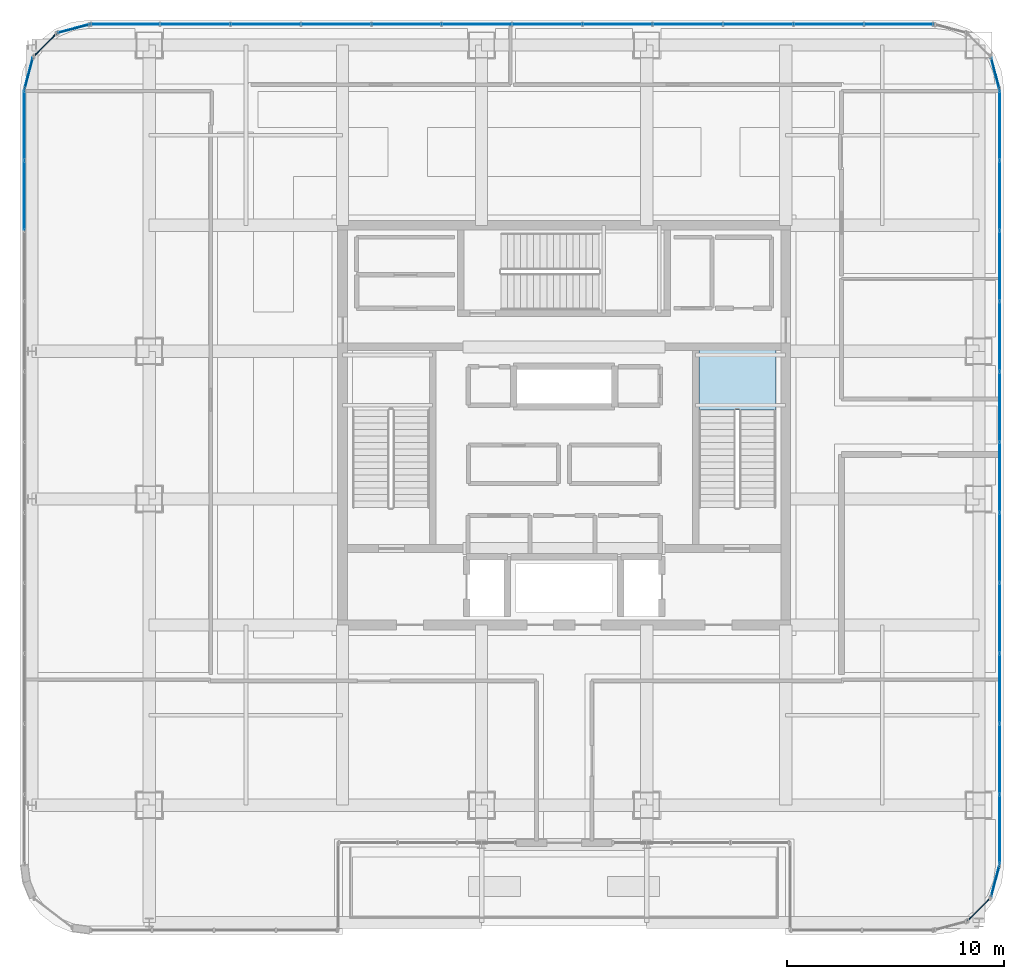
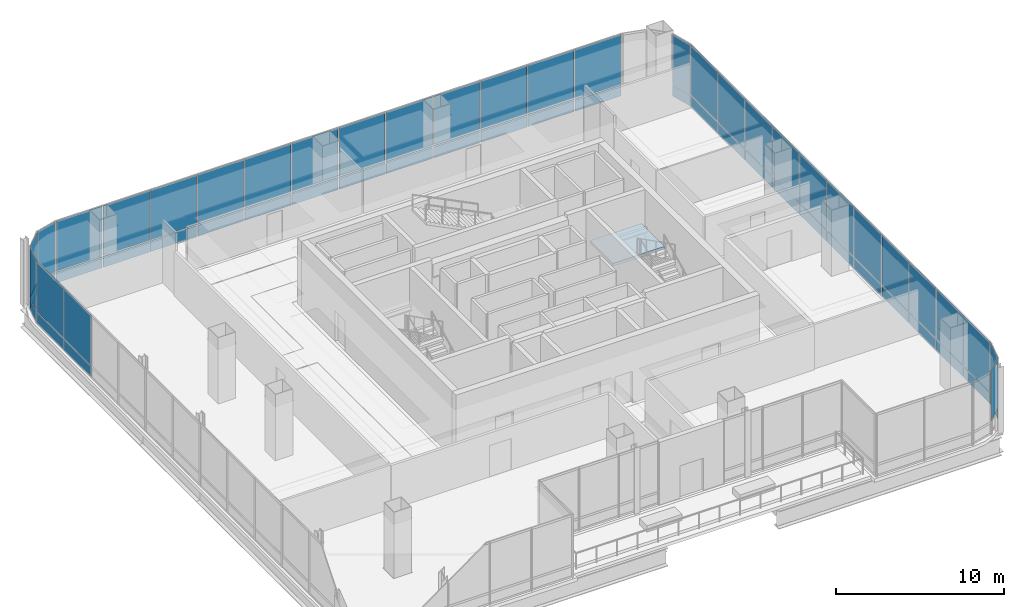
# One storey, part 35 of 44: 61 plates, 1 slab, 10 elements without a shape of their own.
"""IFC4 building model written with IfcOpenShell, lengths in metres."""

from ifc_helpers import new_model, si_unit, direction, frame, origin, origin_2d, place, context, subcontext, project, spatial, polyline, rectangle, outline, extrude, material, layer, layer_set, type_object, element, aggregate, save


model = new_model("IFC4")

# Units and contexts
model_context = context("Model", 3, precision=1e-05, world=origin(), true_north=direction((0.0, 1.0)))
body_context = subcontext(model_context, "Body", "Model", "MODEL_VIEW")
ifc_project = project(units=[si_unit("LENGTHUNIT", "METRE"), si_unit("AREAUNIT", "SQUARE_METRE"), si_unit("VOLUMEUNIT", "CUBIC_METRE"), si_unit("PLANEANGLEUNIT", "RADIAN"), si_unit("MASSUNIT", "GRAM", prefix="KILO")], contexts=[model_context])

# Site, building, storey
site_placement = place(None, origin())
site = spatial("IfcSite", under=ifc_project, at=site_placement, CompositionType="ELEMENT")
building_placement = place(site_placement, origin())
building = spatial("IfcBuilding", under=site, at=building_placement, Name="Punatoya Terracotta Tower", CompositionType="ELEMENT")
storey_placement = place(building_placement, frame((0.0, 0.0, 334.199951171875)))
storey = spatial("IfcBuildingStorey", under=building, at=storey_placement, Name="L79", CompositionType="ELEMENT", Elevation=334.199951171875)

# Curtain wall, plate
ifc_material_1 = material(Name="Aluminium 6063-T6 + Double Low-E Glass", Category="aluminium")
curtain_wall_type = type_object("IfcCurtainWallType", Name="CW-OBS", PredefinedType="NOTDEFINED", material=ifc_material_1)
curtain_wall_1_placement = place(storey_placement, origin())
curtain_wall_1 = element("IfcCurtainWall", 1, at=curtain_wall_1_placement, inside=storey, type_object=curtain_wall_type, Name="L79 Curtain Wall CW-L79-CRN08", PredefinedType="NOTDEFINED")
ifc_material_2 = material(Name="Laminated Observation Low-Iron Glass", Category="glass")
ifc_layer_1 = layer(ifc_material_2, 0.0380859375)
ifc_layer_set_1 = layer_set([ifc_layer_1], Name="Laminated Observation Low-Iron Glass")
plate_type_1 = type_object("IfcPlateType", Name="PLT-GLZ-38", PredefinedType="CURTAIN_PANEL", material=ifc_layer_set_1)
plate_1_placement = place(storey_placement, frame((19.097900390625, -22.2978515625, 0.89013671875), z_axis=(0.0, 0.0, 1.0), x_axis=(0.707106781187, 0.707106781187, 0.0)))
plate_1 = element("IfcPlate", 2, at=plate_1_placement, type_object=plate_type_1, Name="CW-L79-CRN08 Vision Glass Panel 1", PredefinedType="CURTAIN_PANEL", context=body_context, shape_type="SweptSolid", body=[
    extrude(rectangle(XDim=1.467041015625, YDim=0.0380859375, at=origin_2d()), origin(), (0.0, 0.0, 1.0), 3.610107421875),
])
aggregate(curtain_wall_1, [plate_1])

curtain_wall_2_placement = place(storey_placement, origin())
curtain_wall_2 = element("IfcCurtainWall", 3, at=curtain_wall_2_placement, inside=storey, type_object=curtain_wall_type, Name="L79 Curtain Wall CW-L79-CRN09", PredefinedType="NOTDEFINED")
plate_2_placement = place(storey_placement, frame((19.848388671875, -20.992919921875, 0.89013671875), z_axis=(0.0, 0.0, 1.0), x_axis=(0.257741620719, 0.966213877436, 0.0)))
plate_2 = element("IfcPlate", 4, at=plate_2_placement, type_object=plate_type_1, Name="CW-L79-CRN09 Vision Glass Panel 1", PredefinedType="CURTAIN_PANEL", context=body_context, shape_type="SweptSolid", body=[
    extrude(rectangle(XDim=1.47998046875, YDim=0.0380859375, at=origin_2d()), origin(), (0.0, 0.0, 1.0), 3.610107421875),
])

# Curtain wall, plates
curtain_wall_3_placement = place(storey_placement, origin())
curtain_wall_3 = element("IfcCurtainWall", 5, at=curtain_wall_3_placement, inside=storey, type_object=curtain_wall_type, Name="L79 Curtain Wall CW-L79-E10-1", PredefinedType="NOTDEFINED")
plate_3_placement = place(storey_placement, frame((20.050048828125, -18.615478515625, 0.89013671875), z_axis=(0.0, 0.0, 1.0), x_axis=(0.0, 1.0, 0.0)))
plate_3 = element("IfcPlate", 6, at=plate_3_placement, type_object=plate_type_1, Name="CW-L79-E10-1 Vision Glass Panel 1", PredefinedType="CURTAIN_PANEL", context=body_context, shape_type="SweptSolid", body=[
    extrude(rectangle(XDim=3.158203125, YDim=0.0380859375, at=origin_2d()), origin(), (0.0, 0.0, 1.0), 3.610107421875),
])
plate_4_placement = place(storey_placement, frame((20.050048828125, -15.372314453125, 0.89013671875), z_axis=(0.0, 0.0, 1.0), x_axis=(0.0, 1.0, 0.0)))
plate_4 = element("IfcPlate", 7, at=plate_4_placement, type_object=plate_type_1, Name="CW-L79-E10-1 Vision Glass Panel 2", PredefinedType="CURTAIN_PANEL", context=body_context, shape_type="SweptSolid", body=[
    extrude(rectangle(XDim=3.158203125, YDim=0.0380859375, at=origin_2d()), origin(), (0.0, 0.0, 1.0), 3.610107421875),
])
plate_5_placement = place(storey_placement, frame((20.050048828125, -12.129150390625, 0.89013671875), z_axis=(0.0, 0.0, 1.0), x_axis=(0.0, 1.0, 0.0)))
plate_5 = element("IfcPlate", 8, at=plate_5_placement, type_object=plate_type_1, Name="CW-L79-E10-1 Vision Glass Panel 3", PredefinedType="CURTAIN_PANEL", context=body_context, shape_type="SweptSolid", body=[
    extrude(rectangle(XDim=3.158203125, YDim=0.0380859375, at=origin_2d()), origin(), (0.0, 0.0, 1.0), 3.610107421875),
])
plate_6_placement = place(storey_placement, frame((20.050048828125, -8.885986328125, 0.89013671875), z_axis=(0.0, 0.0, 1.0), x_axis=(0.0, 1.0, 0.0)))
plate_6 = element("IfcPlate", 9, at=plate_6_placement, type_object=plate_type_1, Name="CW-L79-E10-1 Vision Glass Panel 4", PredefinedType="CURTAIN_PANEL", context=body_context, shape_type="SweptSolid", body=[
    extrude(rectangle(XDim=3.158203125, YDim=0.0380859375, at=origin_2d()), origin(), (0.0, 0.0, 1.0), 3.610107421875),
])
plate_7_placement = place(storey_placement, frame((20.050048828125, -5.64306640625, 0.89013671875), z_axis=(0.0, 0.0, 1.0), x_axis=(0.0, 1.0, 0.0)))
plate_7 = element("IfcPlate", 10, at=plate_7_placement, type_object=plate_type_1, Name="CW-L79-E10-1 Vision Glass Panel 5", PredefinedType="CURTAIN_PANEL", context=body_context, shape_type="SweptSolid", body=[
    extrude(rectangle(XDim=3.158203125, YDim=0.0380859375, at=origin_2d()), origin(), (0.0, 0.0, 1.0), 3.610107421875),
])
plate_8_placement = place(storey_placement, frame((20.050048828125, -2.39990234375, 0.89013671875), z_axis=(0.0, 0.0, 1.0), x_axis=(0.0, 1.0, 0.0)))
plate_8 = element("IfcPlate", 11, at=plate_8_placement, type_object=plate_type_1, Name="CW-L79-E10-1 Vision Glass Panel 6", PredefinedType="CURTAIN_PANEL", context=body_context, shape_type="SweptSolid", body=[
    extrude(rectangle(XDim=3.158203125, YDim=0.0380859375, at=origin_2d()), origin(), (0.0, 0.0, 1.0), 3.610107421875),
])
plate_9_placement = place(storey_placement, frame((20.050048828125, 0.843017578125, 0.89013671875), z_axis=(0.0, 0.0, 1.0), x_axis=(0.0, 1.0, 0.0)))
plate_9 = element("IfcPlate", 12, at=plate_9_placement, type_object=plate_type_1, Name="CW-L79-E10-1 Vision Glass Panel 7", PredefinedType="CURTAIN_PANEL", context=body_context, shape_type="SweptSolid", body=[
    extrude(rectangle(XDim=3.158203125, YDim=0.0380859375, at=origin_2d()), origin(), (0.0, 0.0, 1.0), 3.610107421875),
])
plate_10_placement = place(storey_placement, frame((20.050048828125, 4.086181640625, 0.89013671875), z_axis=(0.0, 0.0, 1.0), x_axis=(0.0, 1.0, 0.0)))
plate_10 = element("IfcPlate", 13, at=plate_10_placement, type_object=plate_type_1, Name="CW-L79-E10-1 Vision Glass Panel 8", PredefinedType="CURTAIN_PANEL", context=body_context, shape_type="SweptSolid", body=[
    extrude(rectangle(XDim=3.158203125, YDim=0.0380859375, at=origin_2d()), origin(), (0.0, 0.0, 1.0), 3.610107421875),
])
plate_11_placement = place(storey_placement, frame((20.050048828125, 7.3291015625, 0.89013671875), z_axis=(0.0, 0.0, 1.0), x_axis=(0.0, 1.0, 0.0)))
plate_11 = element("IfcPlate", 14, at=plate_11_placement, type_object=plate_type_1, Name="CW-L79-E10-1 Vision Glass Panel 9", PredefinedType="CURTAIN_PANEL", context=body_context, shape_type="SweptSolid", body=[
    extrude(rectangle(XDim=3.158203125, YDim=0.0380859375, at=origin_2d()), origin(), (0.0, 0.0, 1.0), 3.610107421875),
])
plate_12_placement = place(storey_placement, frame((20.050048828125, 10.572265625, 0.89013671875), z_axis=(0.0, 0.0, 1.0), x_axis=(0.0, 1.0, 0.0)))
plate_12 = element("IfcPlate", 15, at=plate_12_placement, type_object=plate_type_1, Name="CW-L79-E10-1 Vision Glass Panel 10", PredefinedType="CURTAIN_PANEL", context=body_context, shape_type="SweptSolid", body=[
    extrude(rectangle(XDim=3.158203125, YDim=0.0380859375, at=origin_2d()), origin(), (0.0, 0.0, 1.0), 3.610107421875),
])
plate_13_placement = place(storey_placement, frame((20.050048828125, 13.8154296875, 0.89013671875), z_axis=(0.0, 0.0, 1.0), x_axis=(0.0, 1.0, 0.0)))
plate_13 = element("IfcPlate", 16, at=plate_13_placement, type_object=plate_type_1, Name="CW-L79-E10-1 Vision Glass Panel 11", PredefinedType="CURTAIN_PANEL", context=body_context, shape_type="SweptSolid", body=[
    extrude(rectangle(XDim=3.158203125, YDim=0.0380859375, at=origin_2d()), origin(), (0.0, 0.0, 1.0), 3.610107421875),
])

# Curtain wall, plate
curtain_wall_4_placement = place(storey_placement, origin())
curtain_wall_4 = element("IfcCurtainWall", 17, at=curtain_wall_4_placement, inside=storey, type_object=curtain_wall_type, Name="L79 Curtain Wall CW-L79-CRN11", PredefinedType="NOTDEFINED")
plate_14_placement = place(storey_placement, frame((19.848388671875, 16.193115234375, 0.89013671875), z_axis=(0.0, 0.0, 1.0), x_axis=(-0.257741620719, 0.966213877436, 0.0)))
plate_14 = element("IfcPlate", 18, at=plate_14_placement, type_object=plate_type_1, Name="CW-L79-CRN11 Vision Glass Panel 1", PredefinedType="CURTAIN_PANEL", context=body_context, shape_type="SweptSolid", body=[
    extrude(rectangle(XDim=1.47998046875, YDim=0.0380859375, at=origin_2d()), origin(), (0.0, 0.0, 1.0), 3.610107421875),
])

# Curtain wall, plates
curtain_wall_5_placement = place(storey_placement, origin())
curtain_wall_5 = element("IfcCurtainWall", 19, at=curtain_wall_5_placement, inside=storey, type_object=curtain_wall_type, Name="L79 Curtain Wall CW-L79-N14-1", PredefinedType="NOTDEFINED")
plate_15_placement = place(storey_placement, frame((15.417236328125, 18.449951171875, 0.89013671875), z_axis=(0.0, 0.0, 1.0), x_axis=(-1.0, 0.0, 0.0)))
plate_15 = element("IfcPlate", 20, at=plate_15_placement, type_object=plate_type_1, Name="CW-L79-N14-1 Vision Glass Panel 1", PredefinedType="CURTAIN_PANEL", context=body_context, shape_type="SweptSolid", body=[
    extrude(rectangle(XDim=3.154541015625, YDim=0.0380859375, at=origin_2d()), origin(), (0.0, 0.0, 1.0), 3.610107421875),
])
plate_16_placement = place(storey_placement, frame((12.177734375, 18.449951171875, 0.89013671875), z_axis=(0.0, 0.0, 1.0), x_axis=(-1.0, 0.0, 0.0)))
plate_16 = element("IfcPlate", 21, at=plate_16_placement, type_object=plate_type_1, Name="CW-L79-N14-1 Vision Glass Panel 2", PredefinedType="CURTAIN_PANEL", context=body_context, shape_type="SweptSolid", body=[
    extrude(rectangle(XDim=3.154541015625, YDim=0.0380859375, at=origin_2d()), origin(), (0.0, 0.0, 1.0), 3.610107421875),
])
plate_17_placement = place(storey_placement, frame((8.938232421875, 18.449951171875, 0.89013671875), z_axis=(0.0, 0.0, 1.0), x_axis=(-1.0, 0.0, 0.0)))
plate_17 = element("IfcPlate", 22, at=plate_17_placement, type_object=plate_type_1, Name="CW-L79-N14-1 Vision Glass Panel 3", PredefinedType="CURTAIN_PANEL", context=body_context, shape_type="SweptSolid", body=[
    extrude(rectangle(XDim=3.154541015625, YDim=0.0380859375, at=origin_2d()), origin(), (0.0, 0.0, 1.0), 3.610107421875),
])
plate_18_placement = place(storey_placement, frame((5.69873046875, 18.449951171875, 0.89013671875), z_axis=(0.0, 0.0, 1.0), x_axis=(-1.0, 0.0, 0.0)))
plate_18 = element("IfcPlate", 23, at=plate_18_placement, type_object=plate_type_1, Name="CW-L79-N14-1 Vision Glass Panel 4", PredefinedType="CURTAIN_PANEL", context=body_context, shape_type="SweptSolid", body=[
    extrude(rectangle(XDim=3.154541015625, YDim=0.0380859375, at=origin_2d()), origin(), (0.0, 0.0, 1.0), 3.610107421875),
])
plate_19_placement = place(storey_placement, frame((2.459228515625, 18.449951171875, 0.89013671875), z_axis=(0.0, 0.0, 1.0), x_axis=(-1.0, 0.0, 0.0)))
plate_19 = element("IfcPlate", 24, at=plate_19_placement, type_object=plate_type_1, Name="CW-L79-N14-1 Vision Glass Panel 5", PredefinedType="CURTAIN_PANEL", context=body_context, shape_type="SweptSolid", body=[
    extrude(rectangle(XDim=3.154541015625, YDim=0.0380859375, at=origin_2d()), origin(), (0.0, 0.0, 1.0), 3.610107421875),
])
plate_20_placement = place(storey_placement, frame((-0.7802734375, 18.449951171875, 0.89013671875), z_axis=(0.0, 0.0, 1.0), x_axis=(-1.0, 0.0, 0.0)))
plate_20 = element("IfcPlate", 25, at=plate_20_placement, type_object=plate_type_1, Name="CW-L79-N14-1 Vision Glass Panel 6", PredefinedType="CURTAIN_PANEL", context=body_context, shape_type="SweptSolid", body=[
    extrude(rectangle(XDim=3.154541015625, YDim=0.0380859375, at=origin_2d()), origin(), (0.0, 0.0, 1.0), 3.610107421875),
])
plate_21_placement = place(storey_placement, frame((-4.019775390625, 18.449951171875, 0.89013671875), z_axis=(0.0, 0.0, 1.0), x_axis=(-1.0, 0.0, 0.0)))
plate_21 = element("IfcPlate", 26, at=plate_21_placement, type_object=plate_type_1, Name="CW-L79-N14-1 Vision Glass Panel 7", PredefinedType="CURTAIN_PANEL", context=body_context, shape_type="SweptSolid", body=[
    extrude(rectangle(XDim=3.154541015625, YDim=0.0380859375, at=origin_2d()), origin(), (0.0, 0.0, 1.0), 3.610107421875),
])
plate_22_placement = place(storey_placement, frame((-7.25927734375, 18.449951171875, 0.89013671875), z_axis=(0.0, 0.0, 1.0), x_axis=(-1.0, 0.0, 0.0)))
plate_22 = element("IfcPlate", 27, at=plate_22_placement, type_object=plate_type_1, Name="CW-L79-N14-1 Vision Glass Panel 8", PredefinedType="CURTAIN_PANEL", context=body_context, shape_type="SweptSolid", body=[
    extrude(rectangle(XDim=3.154541015625, YDim=0.0380859375, at=origin_2d()), origin(), (0.0, 0.0, 1.0), 3.610107421875),
])
plate_23_placement = place(storey_placement, frame((-10.498779296875, 18.449951171875, 0.89013671875), z_axis=(0.0, 0.0, 1.0), x_axis=(-1.0, 0.0, 0.0)))
plate_23 = element("IfcPlate", 28, at=plate_23_placement, type_object=plate_type_1, Name="CW-L79-N14-1 Vision Glass Panel 9", PredefinedType="CURTAIN_PANEL", context=body_context, shape_type="SweptSolid", body=[
    extrude(rectangle(XDim=3.154541015625, YDim=0.0380859375, at=origin_2d()), origin(), (0.0, 0.0, 1.0), 3.610107421875),
])
plate_24_placement = place(storey_placement, frame((-13.73828125, 18.449951171875, 0.89013671875), z_axis=(0.0, 0.0, 1.0), x_axis=(-1.0, 0.0, 0.0)))
plate_24 = element("IfcPlate", 29, at=plate_24_placement, type_object=plate_type_1, Name="CW-L79-N14-1 Vision Glass Panel 10", PredefinedType="CURTAIN_PANEL", context=body_context, shape_type="SweptSolid", body=[
    extrude(rectangle(XDim=3.154541015625, YDim=0.0380859375, at=origin_2d()), origin(), (0.0, 0.0, 1.0), 3.610107421875),
])
plate_25_placement = place(storey_placement, frame((-16.977783203125, 18.449951171875, 0.89013671875), z_axis=(0.0, 0.0, 1.0), x_axis=(-1.0, 0.0, 0.0)))
plate_25 = element("IfcPlate", 30, at=plate_25_placement, type_object=plate_type_1, Name="CW-L79-N14-1 Vision Glass Panel 11", PredefinedType="CURTAIN_PANEL", context=body_context, shape_type="SweptSolid", body=[
    extrude(rectangle(XDim=3.154541015625, YDim=0.0380859375, at=origin_2d()), origin(), (0.0, 0.0, 1.0), 3.610107421875),
])
plate_26_placement = place(storey_placement, frame((-20.21728515625, 18.449951171875, 0.89013671875), z_axis=(0.0, 0.0, 1.0), x_axis=(-1.0, 0.0, 0.0)))
plate_26 = element("IfcPlate", 31, at=plate_26_placement, type_object=plate_type_1, Name="CW-L79-N14-1 Vision Glass Panel 12", PredefinedType="CURTAIN_PANEL", context=body_context, shape_type="SweptSolid", body=[
    extrude(rectangle(XDim=3.154541015625, YDim=0.0380859375, at=origin_2d()), origin(), (0.0, 0.0, 1.0), 3.610107421875),
])

# Curtain wall, plate
curtain_wall_6_placement = place(storey_placement, origin())
curtain_wall_6 = element("IfcCurtainWall", 32, at=curtain_wall_6_placement, inside=storey, type_object=curtain_wall_type, Name="L79 Curtain Wall CW-L79-CRN15", PredefinedType="NOTDEFINED")
plate_27_placement = place(storey_placement, frame((-22.593017578125, 18.248291015625, 0.89013671875), z_axis=(0.0, 0.0, 1.0), x_axis=(-0.966213877436, -0.257741620719, 0.0)))
plate_27 = element("IfcPlate", 33, at=plate_27_placement, type_object=plate_type_1, Name="CW-L79-CRN15 Vision Glass Panel 1", PredefinedType="CURTAIN_PANEL", context=body_context, shape_type="SweptSolid", body=[
    extrude(rectangle(XDim=1.47998046875, YDim=0.0380859375, at=origin_2d()), origin(), (0.0, 0.0, 1.0), 3.610107421875),
])

curtain_wall_7_placement = place(storey_placement, origin())
curtain_wall_7 = element("IfcCurtainWall", 34, at=curtain_wall_7_placement, inside=storey, type_object=curtain_wall_type, Name="L79 Curtain Wall CW-L79-CRN16", PredefinedType="NOTDEFINED")
plate_28_placement = place(storey_placement, frame((-23.89794921875, 17.497802734375, 0.89013671875), z_axis=(0.0, 0.0, 1.0), x_axis=(-0.707106781187, -0.707106781187, 0.0)))
plate_28 = element("IfcPlate", 35, at=plate_28_placement, type_object=plate_type_1, Name="CW-L79-CRN16 Vision Glass Panel 1", PredefinedType="CURTAIN_PANEL", context=body_context, shape_type="SweptSolid", body=[
    extrude(rectangle(XDim=1.467041015625, YDim=0.0380859375, at=origin_2d()), origin(), (0.0, 0.0, 1.0), 3.610107421875),
])

curtain_wall_8_placement = place(storey_placement, origin())
curtain_wall_8 = element("IfcCurtainWall", 36, at=curtain_wall_8_placement, inside=storey, type_object=curtain_wall_type, Name="L79 Curtain Wall CW-L79-CRN17", PredefinedType="NOTDEFINED")
plate_29_placement = place(storey_placement, frame((-24.648193359375, 16.193115234375, 0.89013671875), z_axis=(0.0, 0.0, 1.0), x_axis=(-0.257741620719, -0.966213877436, 0.0)))
plate_29 = element("IfcPlate", 37, at=plate_29_placement, type_object=plate_type_1, Name="CW-L79-CRN17 Vision Glass Panel 1", PredefinedType="CURTAIN_PANEL", context=body_context, shape_type="SweptSolid", body=[
    extrude(rectangle(XDim=1.47998046875, YDim=0.0380859375, at=origin_2d()), origin(), (0.0, 0.0, 1.0), 3.610107421875),
])

# Curtain wall, plates
curtain_wall_9_placement = place(storey_placement, origin())
curtain_wall_9 = element("IfcCurtainWall", 38, at=curtain_wall_9_placement, inside=storey, type_object=curtain_wall_type, Name="L79 Curtain Wall CW-L79-W18-1", PredefinedType="NOTDEFINED")
plate_30_placement = place(storey_placement, frame((-24.85009765625, 13.8154296875, 0.89013671875), z_axis=(0.0, 0.0, 1.0), x_axis=(0.0, -1.0, 0.0)))
plate_30 = element("IfcPlate", 39, at=plate_30_placement, type_object=plate_type_1, Name="CW-L79-W18-1 Vision Glass Panel 1", PredefinedType="CURTAIN_PANEL", context=body_context, shape_type="SweptSolid", body=[
    extrude(rectangle(XDim=3.158203125, YDim=0.0380859375, at=origin_2d()), origin(), (0.0, 0.0, 1.0), 3.610107421875),
])
plate_31_placement = place(storey_placement, frame((-24.85009765625, 10.572265625, 0.89013671875), z_axis=(0.0, 0.0, 1.0), x_axis=(0.0, -1.0, 0.0)))
plate_31 = element("IfcPlate", 40, at=plate_31_placement, type_object=plate_type_1, Name="CW-L79-W18-1 Vision Glass Panel 2", PredefinedType="CURTAIN_PANEL", context=body_context, shape_type="SweptSolid", body=[
    extrude(rectangle(XDim=3.158203125, YDim=0.0380859375, at=origin_2d()), origin(), (0.0, 0.0, 1.0), 3.610107421875),
])

# Plate
ifc_material_3 = material(Name="Insulated Terracotta-Backed Spandrel Panel", Category="masonry")
ifc_layer_2 = layer(ifc_material_3, 0.044921875)
ifc_layer_set_2 = layer_set([ifc_layer_2], Name="Insulated Terracotta-Backed Spandrel Panel")
plate_type_2 = type_object("IfcPlateType", Name="PLT-SPN-45", PredefinedType="CURTAIN_PANEL", material=ifc_layer_set_2)
plate_32_placement = place(storey_placement, frame((19.848388671875, -20.992919921875, 0.0400390625), z_axis=(0.0, 0.0, 1.0), x_axis=(0.257741620719, 0.966213877436, 0.0)))
plate_32 = element("IfcPlate", 41, at=plate_32_placement, type_object=plate_type_2, Name="CW-L79-CRN09 Terracotta Spandrel Panel 1", PredefinedType="CURTAIN_PANEL", context=body_context, shape_type="SweptSolid", body=[
    extrude(rectangle(XDim=1.47998046875, YDim=0.044921875, at=origin_2d()), origin(), (0.0, 0.0, 1.0), 0.77490234375),
])

aggregate(curtain_wall_2, [plate_32, plate_2])

plate_33_placement = place(storey_placement, frame((20.050048828125, -18.615478515625, 0.0400390625), z_axis=(0.0, 0.0, 1.0), x_axis=(0.0, 1.0, 0.0)))
plate_33 = element("IfcPlate", 42, at=plate_33_placement, type_object=plate_type_2, Name="CW-L79-E10-1 Terracotta Spandrel Panel 1", PredefinedType="CURTAIN_PANEL", context=body_context, shape_type="SweptSolid", body=[
    extrude(rectangle(XDim=3.158203125, YDim=0.044921875, at=origin_2d()), origin(), (0.0, 0.0, 1.0), 0.77490234375),
])

plate_34_placement = place(storey_placement, frame((20.050048828125, -15.372314453125, 0.0400390625), z_axis=(0.0, 0.0, 1.0), x_axis=(0.0, 1.0, 0.0)))
plate_34 = element("IfcPlate", 43, at=plate_34_placement, type_object=plate_type_2, Name="CW-L79-E10-1 Terracotta Spandrel Panel 2", PredefinedType="CURTAIN_PANEL", context=body_context, shape_type="SweptSolid", body=[
    extrude(rectangle(XDim=3.158203125, YDim=0.044921875, at=origin_2d()), origin(), (0.0, 0.0, 1.0), 0.77490234375),
])

plate_35_placement = place(storey_placement, frame((20.050048828125, -12.129150390625, 0.0400390625), z_axis=(0.0, 0.0, 1.0), x_axis=(0.0, 1.0, 0.0)))
plate_35 = element("IfcPlate", 44, at=plate_35_placement, type_object=plate_type_2, Name="CW-L79-E10-1 Terracotta Spandrel Panel 3", PredefinedType="CURTAIN_PANEL", context=body_context, shape_type="SweptSolid", body=[
    extrude(rectangle(XDim=3.158203125, YDim=0.044921875, at=origin_2d()), origin(), (0.0, 0.0, 1.0), 0.77490234375),
])

plate_36_placement = place(storey_placement, frame((20.050048828125, -8.885986328125, 0.0400390625), z_axis=(0.0, 0.0, 1.0), x_axis=(0.0, 1.0, 0.0)))
plate_36 = element("IfcPlate", 45, at=plate_36_placement, type_object=plate_type_2, Name="CW-L79-E10-1 Terracotta Spandrel Panel 4", PredefinedType="CURTAIN_PANEL", context=body_context, shape_type="SweptSolid", body=[
    extrude(rectangle(XDim=3.158203125, YDim=0.044921875, at=origin_2d()), origin(), (0.0, 0.0, 1.0), 0.77490234375),
])

plate_37_placement = place(storey_placement, frame((20.050048828125, -5.64306640625, 0.0400390625), z_axis=(0.0, 0.0, 1.0), x_axis=(0.0, 1.0, 0.0)))
plate_37 = element("IfcPlate", 46, at=plate_37_placement, type_object=plate_type_2, Name="CW-L79-E10-1 Terracotta Spandrel Panel 5", PredefinedType="CURTAIN_PANEL", context=body_context, shape_type="SweptSolid", body=[
    extrude(rectangle(XDim=3.158203125, YDim=0.044921875, at=origin_2d()), origin(), (0.0, 0.0, 1.0), 0.77490234375),
])

plate_38_placement = place(storey_placement, frame((20.050048828125, -2.39990234375, 0.0400390625), z_axis=(0.0, 0.0, 1.0), x_axis=(0.0, 1.0, 0.0)))
plate_38 = element("IfcPlate", 47, at=plate_38_placement, type_object=plate_type_2, Name="CW-L79-E10-1 Terracotta Spandrel Panel 6", PredefinedType="CURTAIN_PANEL", context=body_context, shape_type="SweptSolid", body=[
    extrude(rectangle(XDim=3.158203125, YDim=0.044921875, at=origin_2d()), origin(), (0.0, 0.0, 1.0), 0.77490234375),
])

plate_39_placement = place(storey_placement, frame((20.050048828125, 0.843017578125, 0.0400390625), z_axis=(0.0, 0.0, 1.0), x_axis=(0.0, 1.0, 0.0)))
plate_39 = element("IfcPlate", 48, at=plate_39_placement, type_object=plate_type_2, Name="CW-L79-E10-1 Terracotta Spandrel Panel 7", PredefinedType="CURTAIN_PANEL", context=body_context, shape_type="SweptSolid", body=[
    extrude(rectangle(XDim=3.158203125, YDim=0.044921875, at=origin_2d()), origin(), (0.0, 0.0, 1.0), 0.77490234375),
])

plate_40_placement = place(storey_placement, frame((20.050048828125, 4.086181640625, 0.0400390625), z_axis=(0.0, 0.0, 1.0), x_axis=(0.0, 1.0, 0.0)))
plate_40 = element("IfcPlate", 49, at=plate_40_placement, type_object=plate_type_2, Name="CW-L79-E10-1 Terracotta Spandrel Panel 8", PredefinedType="CURTAIN_PANEL", context=body_context, shape_type="SweptSolid", body=[
    extrude(rectangle(XDim=3.158203125, YDim=0.044921875, at=origin_2d()), origin(), (0.0, 0.0, 1.0), 0.77490234375),
])

plate_41_placement = place(storey_placement, frame((20.050048828125, 7.3291015625, 0.0400390625), z_axis=(0.0, 0.0, 1.0), x_axis=(0.0, 1.0, 0.0)))
plate_41 = element("IfcPlate", 50, at=plate_41_placement, type_object=plate_type_2, Name="CW-L79-E10-1 Terracotta Spandrel Panel 9", PredefinedType="CURTAIN_PANEL", context=body_context, shape_type="SweptSolid", body=[
    extrude(rectangle(XDim=3.158203125, YDim=0.044921875, at=origin_2d()), origin(), (0.0, 0.0, 1.0), 0.77490234375),
])

plate_42_placement = place(storey_placement, frame((20.050048828125, 10.572265625, 0.0400390625), z_axis=(0.0, 0.0, 1.0), x_axis=(0.0, 1.0, 0.0)))
plate_42 = element("IfcPlate", 51, at=plate_42_placement, type_object=plate_type_2, Name="CW-L79-E10-1 Terracotta Spandrel Panel 10", PredefinedType="CURTAIN_PANEL", context=body_context, shape_type="SweptSolid", body=[
    extrude(rectangle(XDim=3.158203125, YDim=0.044921875, at=origin_2d()), origin(), (0.0, 0.0, 1.0), 0.77490234375),
])

plate_43_placement = place(storey_placement, frame((20.050048828125, 13.8154296875, 0.0400390625), z_axis=(0.0, 0.0, 1.0), x_axis=(0.0, 1.0, 0.0)))
plate_43 = element("IfcPlate", 52, at=plate_43_placement, type_object=plate_type_2, Name="CW-L79-E10-1 Terracotta Spandrel Panel 11", PredefinedType="CURTAIN_PANEL", context=body_context, shape_type="SweptSolid", body=[
    extrude(rectangle(XDim=3.158203125, YDim=0.044921875, at=origin_2d()), origin(), (0.0, 0.0, 1.0), 0.77490234375),
])

aggregate(curtain_wall_3, [plate_33, plate_3, plate_34, plate_4, plate_35, plate_5, plate_36, plate_6, plate_37, plate_7, plate_38, plate_8, plate_39, plate_9, plate_40, plate_10, plate_41, plate_11, plate_42, plate_12, plate_43, plate_13])

plate_44_placement = place(storey_placement, frame((19.848388671875, 16.193115234375, 0.0400390625), z_axis=(0.0, 0.0, 1.0), x_axis=(-0.257741620719, 0.966213877436, 0.0)))
plate_44 = element("IfcPlate", 53, at=plate_44_placement, type_object=plate_type_2, Name="CW-L79-CRN11 Terracotta Spandrel Panel 1", PredefinedType="CURTAIN_PANEL", context=body_context, shape_type="SweptSolid", body=[
    extrude(rectangle(XDim=1.47998046875, YDim=0.044921875, at=origin_2d()), origin(), (0.0, 0.0, 1.0), 0.77490234375),
])

aggregate(curtain_wall_4, [plate_44, plate_14])

plate_45_placement = place(storey_placement, frame((15.417236328125, 18.449951171875, 0.0400390625), z_axis=(0.0, 0.0, 1.0), x_axis=(-1.0, 0.0, 0.0)))
plate_45 = element("IfcPlate", 54, at=plate_45_placement, type_object=plate_type_2, Name="CW-L79-N14-1 Terracotta Spandrel Panel 1", PredefinedType="CURTAIN_PANEL", context=body_context, shape_type="SweptSolid", body=[
    extrude(rectangle(XDim=3.154541015625, YDim=0.044921875, at=origin_2d()), origin(), (0.0, 0.0, 1.0), 0.77490234375),
])

plate_46_placement = place(storey_placement, frame((12.177734375, 18.449951171875, 0.0400390625), z_axis=(0.0, 0.0, 1.0), x_axis=(-1.0, 0.0, 0.0)))
plate_46 = element("IfcPlate", 55, at=plate_46_placement, type_object=plate_type_2, Name="CW-L79-N14-1 Terracotta Spandrel Panel 2", PredefinedType="CURTAIN_PANEL", context=body_context, shape_type="SweptSolid", body=[
    extrude(rectangle(XDim=3.154541015625, YDim=0.044921875, at=origin_2d()), origin(), (0.0, 0.0, 1.0), 0.77490234375),
])

plate_47_placement = place(storey_placement, frame((8.938232421875, 18.449951171875, 0.0400390625), z_axis=(0.0, 0.0, 1.0), x_axis=(-1.0, 0.0, 0.0)))
plate_47 = element("IfcPlate", 56, at=plate_47_placement, type_object=plate_type_2, Name="CW-L79-N14-1 Terracotta Spandrel Panel 3", PredefinedType="CURTAIN_PANEL", context=body_context, shape_type="SweptSolid", body=[
    extrude(rectangle(XDim=3.154541015625, YDim=0.044921875, at=origin_2d()), origin(), (0.0, 0.0, 1.0), 0.77490234375),
])

plate_48_placement = place(storey_placement, frame((5.69873046875, 18.449951171875, 0.0400390625), z_axis=(0.0, 0.0, 1.0), x_axis=(-1.0, 0.0, 0.0)))
plate_48 = element("IfcPlate", 57, at=plate_48_placement, type_object=plate_type_2, Name="CW-L79-N14-1 Terracotta Spandrel Panel 4", PredefinedType="CURTAIN_PANEL", context=body_context, shape_type="SweptSolid", body=[
    extrude(rectangle(XDim=3.154541015625, YDim=0.044921875, at=origin_2d()), origin(), (0.0, 0.0, 1.0), 0.77490234375),
])

plate_49_placement = place(storey_placement, frame((2.459228515625, 18.449951171875, 0.0400390625), z_axis=(0.0, 0.0, 1.0), x_axis=(-1.0, 0.0, 0.0)))
plate_49 = element("IfcPlate", 58, at=plate_49_placement, type_object=plate_type_2, Name="CW-L79-N14-1 Terracotta Spandrel Panel 5", PredefinedType="CURTAIN_PANEL", context=body_context, shape_type="SweptSolid", body=[
    extrude(rectangle(XDim=3.154541015625, YDim=0.044921875, at=origin_2d()), origin(), (0.0, 0.0, 1.0), 0.77490234375),
])

plate_50_placement = place(storey_placement, frame((-0.7802734375, 18.449951171875, 0.0400390625), z_axis=(0.0, 0.0, 1.0), x_axis=(-1.0, 0.0, 0.0)))
plate_50 = element("IfcPlate", 59, at=plate_50_placement, type_object=plate_type_2, Name="CW-L79-N14-1 Terracotta Spandrel Panel 6", PredefinedType="CURTAIN_PANEL", context=body_context, shape_type="SweptSolid", body=[
    extrude(rectangle(XDim=3.154541015625, YDim=0.044921875, at=origin_2d()), origin(), (0.0, 0.0, 1.0), 0.77490234375),
])

plate_51_placement = place(storey_placement, frame((-4.019775390625, 18.449951171875, 0.0400390625), z_axis=(0.0, 0.0, 1.0), x_axis=(-1.0, 0.0, 0.0)))
plate_51 = element("IfcPlate", 60, at=plate_51_placement, type_object=plate_type_2, Name="CW-L79-N14-1 Terracotta Spandrel Panel 7", PredefinedType="CURTAIN_PANEL", context=body_context, shape_type="SweptSolid", body=[
    extrude(rectangle(XDim=3.154541015625, YDim=0.044921875, at=origin_2d()), origin(), (0.0, 0.0, 1.0), 0.77490234375),
])

plate_52_placement = place(storey_placement, frame((-7.25927734375, 18.449951171875, 0.0400390625), z_axis=(0.0, 0.0, 1.0), x_axis=(-1.0, 0.0, 0.0)))
plate_52 = element("IfcPlate", 61, at=plate_52_placement, type_object=plate_type_2, Name="CW-L79-N14-1 Terracotta Spandrel Panel 8", PredefinedType="CURTAIN_PANEL", context=body_context, shape_type="SweptSolid", body=[
    extrude(rectangle(XDim=3.154541015625, YDim=0.044921875, at=origin_2d()), origin(), (0.0, 0.0, 1.0), 0.77490234375),
])

plate_53_placement = place(storey_placement, frame((-10.498779296875, 18.449951171875, 0.0400390625), z_axis=(0.0, 0.0, 1.0), x_axis=(-1.0, 0.0, 0.0)))
plate_53 = element("IfcPlate", 62, at=plate_53_placement, type_object=plate_type_2, Name="CW-L79-N14-1 Terracotta Spandrel Panel 9", PredefinedType="CURTAIN_PANEL", context=body_context, shape_type="SweptSolid", body=[
    extrude(rectangle(XDim=3.154541015625, YDim=0.044921875, at=origin_2d()), origin(), (0.0, 0.0, 1.0), 0.77490234375),
])

plate_54_placement = place(storey_placement, frame((-13.73828125, 18.449951171875, 0.0400390625), z_axis=(0.0, 0.0, 1.0), x_axis=(-1.0, 0.0, 0.0)))
plate_54 = element("IfcPlate", 63, at=plate_54_placement, type_object=plate_type_2, Name="CW-L79-N14-1 Terracotta Spandrel Panel 10", PredefinedType="CURTAIN_PANEL", context=body_context, shape_type="SweptSolid", body=[
    extrude(rectangle(XDim=3.154541015625, YDim=0.044921875, at=origin_2d()), origin(), (0.0, 0.0, 1.0), 0.77490234375),
])

plate_55_placement = place(storey_placement, frame((-16.977783203125, 18.449951171875, 0.0400390625), z_axis=(0.0, 0.0, 1.0), x_axis=(-1.0, 0.0, 0.0)))
plate_55 = element("IfcPlate", 64, at=plate_55_placement, type_object=plate_type_2, Name="CW-L79-N14-1 Terracotta Spandrel Panel 11", PredefinedType="CURTAIN_PANEL", context=body_context, shape_type="SweptSolid", body=[
    extrude(rectangle(XDim=3.154541015625, YDim=0.044921875, at=origin_2d()), origin(), (0.0, 0.0, 1.0), 0.77490234375),
])

plate_56_placement = place(storey_placement, frame((-20.21728515625, 18.449951171875, 0.0400390625), z_axis=(0.0, 0.0, 1.0), x_axis=(-1.0, 0.0, 0.0)))
plate_56 = element("IfcPlate", 65, at=plate_56_placement, type_object=plate_type_2, Name="CW-L79-N14-1 Terracotta Spandrel Panel 12", PredefinedType="CURTAIN_PANEL", context=body_context, shape_type="SweptSolid", body=[
    extrude(rectangle(XDim=3.154541015625, YDim=0.044921875, at=origin_2d()), origin(), (0.0, 0.0, 1.0), 0.77490234375),
])

aggregate(curtain_wall_5, [plate_45, plate_15, plate_46, plate_16, plate_47, plate_17, plate_48, plate_18, plate_49, plate_19, plate_50, plate_20, plate_51, plate_21, plate_52, plate_22, plate_53, plate_23, plate_54, plate_24, plate_55, plate_25, plate_56, plate_26])

plate_57_placement = place(storey_placement, frame((-22.593017578125, 18.248291015625, 0.0400390625), z_axis=(0.0, 0.0, 1.0), x_axis=(-0.966213877436, -0.257741620719, 0.0)))
plate_57 = element("IfcPlate", 66, at=plate_57_placement, type_object=plate_type_2, Name="CW-L79-CRN15 Terracotta Spandrel Panel 1", PredefinedType="CURTAIN_PANEL", context=body_context, shape_type="SweptSolid", body=[
    extrude(rectangle(XDim=1.47998046875, YDim=0.044921875, at=origin_2d()), origin(), (0.0, 0.0, 1.0), 0.77490234375),
])

aggregate(curtain_wall_6, [plate_57, plate_27])

plate_58_placement = place(storey_placement, frame((-23.89794921875, 17.497802734375, 0.0400390625), z_axis=(0.0, 0.0, 1.0), x_axis=(-0.707106781187, -0.707106781187, 0.0)))
plate_58 = element("IfcPlate", 67, at=plate_58_placement, type_object=plate_type_2, Name="CW-L79-CRN16 Terracotta Spandrel Panel 1", PredefinedType="CURTAIN_PANEL", context=body_context, shape_type="SweptSolid", body=[
    extrude(rectangle(XDim=1.467041015625, YDim=0.044921875, at=origin_2d()), origin(), (0.0, 0.0, 1.0), 0.77490234375),
])

aggregate(curtain_wall_7, [plate_58, plate_28])

plate_59_placement = place(storey_placement, frame((-24.648193359375, 16.193115234375, 0.0400390625), z_axis=(0.0, 0.0, 1.0), x_axis=(-0.257741620719, -0.966213877436, 0.0)))
plate_59 = element("IfcPlate", 68, at=plate_59_placement, type_object=plate_type_2, Name="CW-L79-CRN17 Terracotta Spandrel Panel 1", PredefinedType="CURTAIN_PANEL", context=body_context, shape_type="SweptSolid", body=[
    extrude(rectangle(XDim=1.47998046875, YDim=0.044921875, at=origin_2d()), origin(), (0.0, 0.0, 1.0), 0.77490234375),
])

aggregate(curtain_wall_8, [plate_59, plate_29])

plate_60_placement = place(storey_placement, frame((-24.85009765625, 13.8154296875, 0.0400390625), z_axis=(0.0, 0.0, 1.0), x_axis=(0.0, -1.0, 0.0)))
plate_60 = element("IfcPlate", 69, at=plate_60_placement, type_object=plate_type_2, Name="CW-L79-W18-1 Terracotta Spandrel Panel 1", PredefinedType="CURTAIN_PANEL", context=body_context, shape_type="SweptSolid", body=[
    extrude(rectangle(XDim=3.158203125, YDim=0.044921875, at=origin_2d()), origin(), (0.0, 0.0, 1.0), 0.77490234375),
])

plate_61_placement = place(storey_placement, frame((-24.85009765625, 10.572265625, 0.0400390625), z_axis=(0.0, 0.0, 1.0), x_axis=(0.0, -1.0, 0.0)))
plate_61 = element("IfcPlate", 70, at=plate_61_placement, type_object=plate_type_2, Name="CW-L79-W18-1 Terracotta Spandrel Panel 2", PredefinedType="CURTAIN_PANEL", context=body_context, shape_type="SweptSolid", body=[
    extrude(rectangle(XDim=3.158203125, YDim=0.044921875, at=origin_2d()), origin(), (0.0, 0.0, 1.0), 0.77490234375),
])

aggregate(curtain_wall_9, [plate_60, plate_30, plate_61, plate_31])

# Stair, slab
ifc_material_4 = material(Name="Concrete C40/50", Category="concrete")
stair_type = type_object("IfcStairType", Name="STR-LOB-1650", PredefinedType="HALF_TURN_STAIR", material=ifc_material_4)
stair_placement = place(storey_placement, origin())
stair = element("IfcStair", 71, at=stair_placement, inside=storey, type_object=stair_type, Name="L79 Protected Core Exit Stair ST-2", PredefinedType="HALF_TURN_STAIR")
ifc_layer_3 = layer(ifc_material_4, 0.179931640625)
ifc_layer_set_3 = layer_set([ifc_layer_3], Name="Concrete C40/50")
slab_type = type_object("IfcSlabType", Name="SLB-LND-180", PredefinedType="LANDING", material=ifc_layer_set_3)
slab_placement = place(storey_placement, frame((0.0, 0.0, 2.199951171875)))
slab = element("IfcSlab", 72, at=slab_placement, type_object=slab_type, Name="ST-2 landing 1", PredefinedType="LANDING", context=body_context, shape_type="SweptSolid", body=[
    extrude(outline(polyline([(9.75, 0.699951171875), (9.75, 3.449951171875), (6.199951171875, 3.449951171875), (6.199951171875, 0.699951171875), (9.75, 0.699951171875)])), origin(), (0.0, 0.0, 1.0), 0.2001953125),
])
aggregate(stair, [slab])

save(model, "model.ifc")
